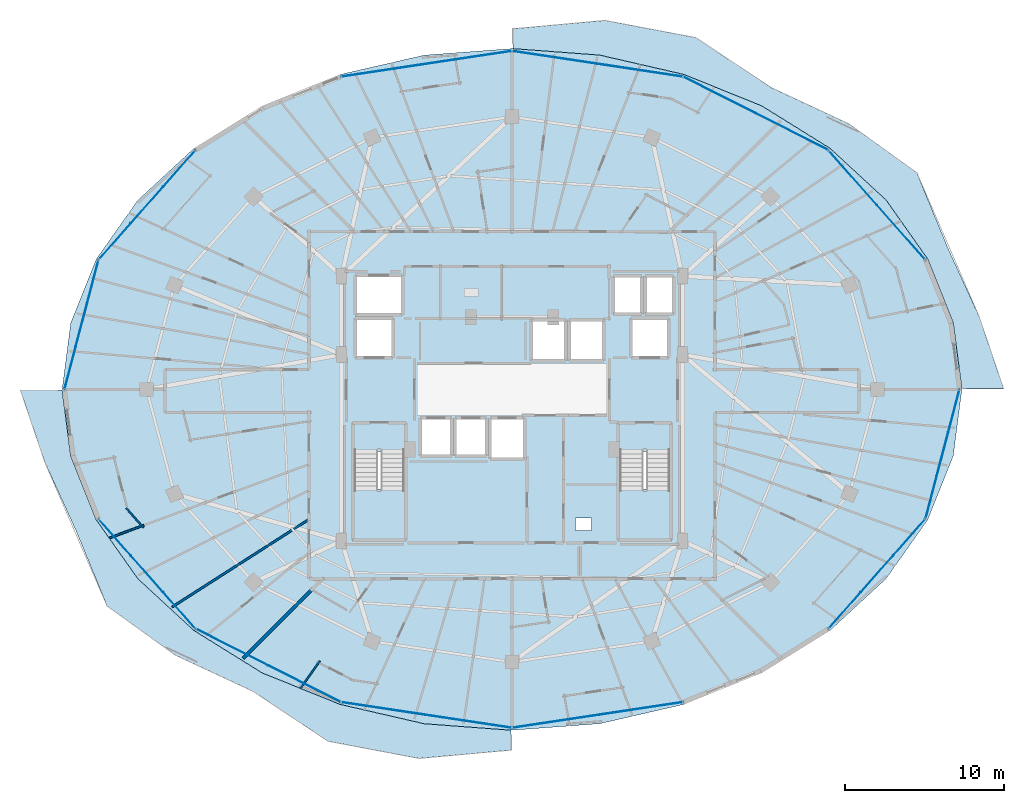
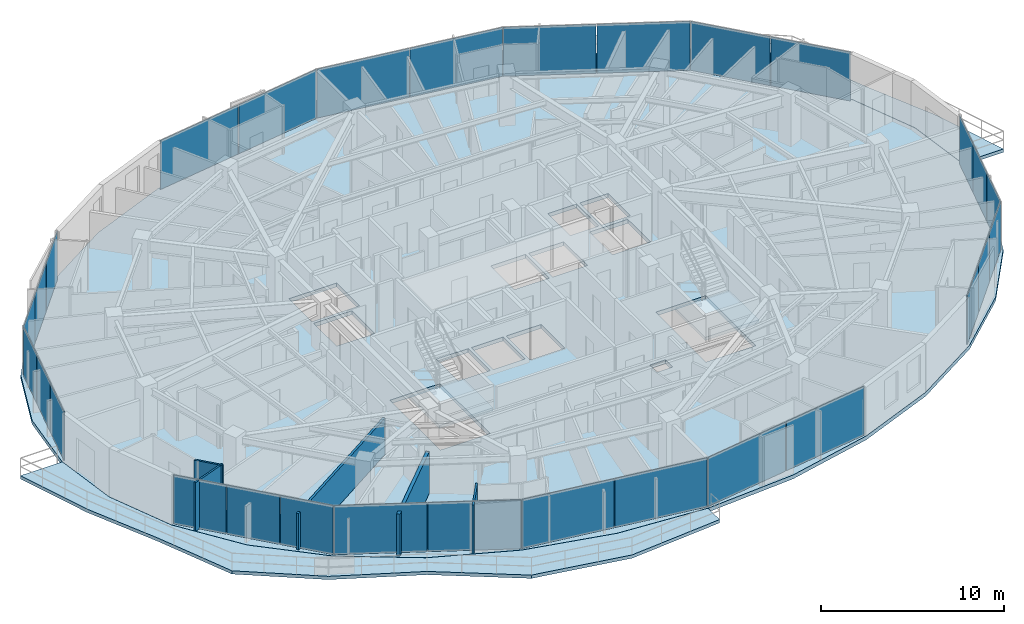
# One storey, part 22 of 33: 29 plates, 5 slabs, 5 walls, 6 elements without a shape of their own.
"""IFC4 building model written with IfcOpenShell, lengths in metres."""

from ifc_helpers import new_model, si_unit, direction, frame, frame_2d, origin, origin_2d, place, context, subcontext, project, spatial, polyline, rectangle, outline, extrude, material, layer, layer_set, type_object, element, aggregate, save


model = new_model("IFC4")

# Units and contexts
model_context = context("Model", 3, precision=1e-05, world=origin(), true_north=direction((0.0, 1.0)))
body_context = subcontext(model_context, "Body", "Model", "MODEL_VIEW")
ifc_project = project(units=[si_unit("LENGTHUNIT", "METRE"), si_unit("AREAUNIT", "SQUARE_METRE"), si_unit("VOLUMEUNIT", "CUBIC_METRE"), si_unit("PLANEANGLEUNIT", "RADIAN"), si_unit("MASSUNIT", "GRAM", prefix="KILO")], contexts=[model_context])

# Site, building, storey
site_placement = place(None, origin())
site = spatial("IfcSite", under=ifc_project, at=site_placement, CompositionType="ELEMENT")
building_placement = place(site_placement, origin())
building = spatial("IfcBuilding", under=site, at=building_placement, Name="Vorneva Point Tower", CompositionType="ELEMENT")
storey_placement = place(building_placement, frame((0.0, 0.0, 179.10009765625)))
storey = spatial("IfcBuildingStorey", under=building, at=storey_placement, Name="L48", CompositionType="ELEMENT", Elevation=179.10009765625)

# Curtain wall, plates
ifc_material_1 = material(Name="Pale anodised aluminium", Category="aluminium")
curtain_wall_type = type_object("IfcCurtainWallType", Name="CW-RES-SYS", PredefinedType="NOTDEFINED", material=ifc_material_1)
curtain_wall_1_placement = place(storey_placement, origin())
curtain_wall_1 = element("IfcCurtainWall", 1, at=curtain_wall_1_placement, inside=storey, type_object=curtain_wall_type, Name="L48 Unitised Curtain Wall CW-L48-R01", PredefinedType="NOTDEFINED")
ifc_material_2 = material(Name="Double low-e laminated glass IGU", Category="glass")
ifc_layer_1 = layer(ifc_material_2, 0.035888671875)
ifc_layer_set_1 = layer_set([ifc_layer_1], Name="Double low-e laminated glass IGU")
plate_type = type_object("IfcPlateType", Name="CW-PNL-VIS", PredefinedType="CURTAIN_PANEL", material=ifc_layer_set_1)
plate_1_placement = place(storey_placement, frame((62.55126953125, 35.90185546875, -0.02001953125), z_axis=(0.0, 0.0, 1.0), x_axis=(-0.662110096764, 0.74940657841, 0.0)))
plate_1 = element("IfcPlate", 2, at=plate_1_placement, type_object=plate_type, Name="CW-L48-R01 Glazed Panel 01A", PredefinedType="CURTAIN_PANEL", context=body_context, shape_type="SweptSolid", body=[
    extrude(rectangle(XDim=4.5712890625, YDim=0.035888671875, at=origin_2d()), origin(), (0.0, 0.0, 1.0), 3.280029296875),
])
plate_2_placement = place(storey_placement, frame((59.491455078125, 39.364990234375, -0.02001953125), z_axis=(0.0, 0.0, 1.0), x_axis=(-0.662110096764, 0.74940657841, 0.0)))
plate_2 = element("IfcPlate", 3, at=plate_2_placement, type_object=plate_type, Name="CW-L48-R01 Glazed Panel 01B", PredefinedType="CURTAIN_PANEL", context=body_context, shape_type="SweptSolid", body=[
    extrude(rectangle(XDim=4.5712890625, YDim=0.035888671875, at=origin_2d()), origin(), (0.0, 0.0, 1.0), 3.280029296875),
])
plate_3_placement = place(storey_placement, frame((55.672119140625, 42.253662109375, -0.02001953125), z_axis=(0.0, 0.0, 1.0), x_axis=(-0.892514983762, 0.451017742179, 0.0)))
plate_3 = element("IfcPlate", 4, at=plate_3_placement, type_object=plate_type, Name="CW-L48-R01 Glazed Panel 02A", PredefinedType="CURTAIN_PANEL", context=body_context, shape_type="SweptSolid", body=[
    extrude(rectangle(XDim=5.080810546875, YDim=0.035888671875, at=origin_2d()), origin(), (0.0, 0.0, 1.0), 3.280029296875),
])
plate_4_placement = place(storey_placement, frame((51.0927734375, 44.56787109375, -0.02001953125), z_axis=(0.0, 0.0, 1.0), x_axis=(-0.892514983762, 0.451017742179, 0.0)))
plate_4 = element("IfcPlate", 5, at=plate_4_placement, type_object=plate_type, Name="CW-L48-R01 Glazed Panel 02B", PredefinedType="CURTAIN_PANEL", context=body_context, shape_type="SweptSolid", body=[
    extrude(rectangle(XDim=5.080810546875, YDim=0.035888671875, at=origin_2d()), origin(), (0.0, 0.0, 1.0), 3.280029296875),
])
plate_5_placement = place(storey_placement, frame((46.102294921875, 46.131103515625, -0.02001953125), z_axis=(0.0, 0.0, 1.0), x_axis=(-0.988873520862, 0.148758729957, 0.0)))
plate_5 = element("IfcPlate", 6, at=plate_5_placement, type_object=plate_type, Name="CW-L48-R01 Glazed Panel 03A", PredefinedType="CURTAIN_PANEL", context=body_context, shape_type="SweptSolid", body=[
    extrude(rectangle(XDim=5.412353515625, YDim=0.035888671875, at=origin_2d()), origin(), (0.0, 0.0, 1.0), 3.280029296875),
])
plate_6_placement = place(storey_placement, frame((40.70068359375, 46.943603515625, -0.02001953125), z_axis=(0.0, 0.0, 1.0), x_axis=(-0.988873520862, 0.148758729957, 0.0)))
plate_6 = element("IfcPlate", 7, at=plate_6_placement, type_object=plate_type, Name="CW-L48-R01 Glazed Panel 03B", PredefinedType="CURTAIN_PANEL", context=body_context, shape_type="SweptSolid", body=[
    extrude(rectangle(XDim=5.412353515625, YDim=0.035888671875, at=origin_2d()), origin(), (0.0, 0.0, 1.0), 3.280029296875),
])
plate_7_placement = place(storey_placement, frame((35.29931640625, 46.943603515625, -0.02001953125), z_axis=(0.0, 0.0, 1.0), x_axis=(-0.988873520862, -0.148758729957, 0.0)))
plate_7 = element("IfcPlate", 8, at=plate_7_placement, type_object=plate_type, Name="CW-L48-R01 Glazed Panel 04A", PredefinedType="CURTAIN_PANEL", context=body_context, shape_type="SweptSolid", body=[
    extrude(rectangle(XDim=5.412353515625, YDim=0.035888671875, at=origin_2d()), origin(), (0.0, 0.0, 1.0), 3.280029296875),
])
plate_8_placement = place(storey_placement, frame((29.897705078125, 46.131103515625, -0.02001953125), z_axis=(0.0, 0.0, 1.0), x_axis=(-0.988873520862, -0.148758729957, 0.0)))
plate_8 = element("IfcPlate", 9, at=plate_8_placement, type_object=plate_type, Name="CW-L48-R01 Glazed Panel 04B", PredefinedType="CURTAIN_PANEL", context=body_context, shape_type="SweptSolid", body=[
    extrude(rectangle(XDim=5.412353515625, YDim=0.035888671875, at=origin_2d()), origin(), (0.0, 0.0, 1.0), 3.280029296875),
])
aggregate(curtain_wall_1, [plate_1, plate_2, plate_3, plate_4, plate_5, plate_6, plate_7, plate_8])

curtain_wall_2_placement = place(storey_placement, origin())
curtain_wall_2 = element("IfcCurtainWall", 10, at=curtain_wall_2_placement, inside=storey, type_object=curtain_wall_type, Name="L48 Unitised Curtain Wall CW-L48-R02", PredefinedType="NOTDEFINED")
plate_9_placement = place(storey_placement, frame((17.0185546875, 39.9423828125, -0.02001953125), z_axis=(0.0, 0.0, 1.0), x_axis=(-0.662110096764, -0.74940657841, 0.0)))
plate_9 = element("IfcPlate", 11, at=plate_9_placement, type_object=plate_type, Name="CW-L48-R02 Glazed Panel 01A", PredefinedType="CURTAIN_PANEL", context=body_context, shape_type="SweptSolid", body=[
    extrude(rectangle(XDim=3.03076171875, YDim=0.035888671875, at=origin_2d()), origin(), (0.0, 0.0, 1.0), 3.280029296875),
])
plate_10_placement = place(storey_placement, frame((14.978759765625, 37.633544921875, -0.02001953125), z_axis=(0.0, 0.0, 1.0), x_axis=(-0.662110096764, -0.74940657841, 0.0)))
plate_10 = element("IfcPlate", 12, at=plate_10_placement, type_object=plate_type, Name="CW-L48-R02 Glazed Panel 01B", PredefinedType="CURTAIN_PANEL", context=body_context, shape_type="SweptSolid", body=[
    extrude(rectangle(XDim=3.03076171875, YDim=0.035888671875, at=origin_2d()), origin(), (0.0, 0.0, 1.0), 3.280029296875),
])
plate_11_placement = place(storey_placement, frame((12.938720703125, 35.32470703125, -0.02001953125), z_axis=(0.0, 0.0, 1.0), x_axis=(-0.662110096764, -0.74940657841, 0.0)))
plate_11 = element("IfcPlate", 13, at=plate_11_placement, type_object=plate_type, Name="CW-L48-R02 Glazed Panel 01C", PredefinedType="CURTAIN_PANEL", context=body_context, shape_type="SweptSolid", body=[
    extrude(rectangle(XDim=3.03076171875, YDim=0.035888671875, at=origin_2d()), origin(), (0.0, 0.0, 1.0), 3.280029296875),
])
plate_12_placement = place(storey_placement, frame((11.560791015625, 32.80859375, -0.02001953125), z_axis=(0.0, 0.0, 1.0), x_axis=(-0.254365646708, -0.967108121036, 0.0)))
plate_12 = element("IfcPlate", 14, at=plate_12_placement, type_object=plate_type, Name="CW-L48-R02 Glazed Panel 02A", PredefinedType="CURTAIN_PANEL", context=body_context, shape_type="SweptSolid", body=[
    extrude(rectangle(XDim=2.76611328125, YDim=0.035888671875, at=origin_2d()), origin(), (0.0, 0.0, 1.0), 3.280029296875),
])
plate_13_placement = place(storey_placement, frame((10.844482421875, 30.085205078125, -0.02001953125), z_axis=(0.0, 0.0, 1.0), x_axis=(-0.254365646708, -0.967108121036, 0.0)))
plate_13 = element("IfcPlate", 15, at=plate_13_placement, type_object=plate_type, Name="CW-L48-R02 Glazed Panel 02B", PredefinedType="CURTAIN_PANEL", context=body_context, shape_type="SweptSolid", body=[
    extrude(rectangle(XDim=2.76611328125, YDim=0.035888671875, at=origin_2d()), origin(), (0.0, 0.0, 1.0), 3.280029296875),
])
plate_14_placement = place(storey_placement, frame((10.128173828125, 27.36181640625, -0.02001953125), z_axis=(0.0, 0.0, 1.0), x_axis=(-0.254365646708, -0.967108121036, 0.0)))
plate_14 = element("IfcPlate", 16, at=plate_14_placement, type_object=plate_type, Name="CW-L48-R02 Glazed Panel 02C", PredefinedType="CURTAIN_PANEL", context=body_context, shape_type="SweptSolid", body=[
    extrude(rectangle(XDim=2.76611328125, YDim=0.035888671875, at=origin_2d()), origin(), (0.0, 0.0, 1.0), 3.280029296875),
])
aggregate(curtain_wall_2, [plate_9, plate_10, plate_11, plate_12, plate_13, plate_14])

curtain_wall_3_placement = place(storey_placement, origin())
curtain_wall_3 = element("IfcCurtainWall", 17, at=curtain_wall_3_placement, inside=storey, type_object=curtain_wall_type, Name="L48 Unitised Curtain Wall CW-L48-R03", PredefinedType="NOTDEFINED")
plate_15_placement = place(storey_placement, frame((12.938720703125, 16.67529296875, -0.02001953125), z_axis=(0.0, 0.0, 1.0), x_axis=(0.662110096764, -0.74940657841, 0.0)))
plate_15 = element("IfcPlate", 18, at=plate_15_placement, type_object=plate_type, Name="CW-L48-R03 Glazed Panel 01A", PredefinedType="CURTAIN_PANEL", context=body_context, shape_type="SweptSolid", body=[
    extrude(rectangle(XDim=3.03076171875, YDim=0.035888671875, at=origin_2d()), origin(), (0.0, 0.0, 1.0), 3.280029296875),
])
plate_16_placement = place(storey_placement, frame((14.978759765625, 14.366455078125, -0.02001953125), z_axis=(0.0, 0.0, 1.0), x_axis=(0.662110096764, -0.74940657841, 0.0)))
plate_16 = element("IfcPlate", 19, at=plate_16_placement, type_object=plate_type, Name="CW-L48-R03 Glazed Panel 01B", PredefinedType="CURTAIN_PANEL", context=body_context, shape_type="SweptSolid", body=[
    extrude(rectangle(XDim=3.03076171875, YDim=0.035888671875, at=origin_2d()), origin(), (0.0, 0.0, 1.0), 3.280029296875),
])
plate_17_placement = place(storey_placement, frame((17.0185546875, 12.0576171875, -0.02001953125), z_axis=(0.0, 0.0, 1.0), x_axis=(0.662110096764, -0.74940657841, 0.0)))
plate_17 = element("IfcPlate", 20, at=plate_17_placement, type_object=plate_type, Name="CW-L48-R03 Glazed Panel 01C", PredefinedType="CURTAIN_PANEL", context=body_context, shape_type="SweptSolid", body=[
    extrude(rectangle(XDim=3.03076171875, YDim=0.035888671875, at=origin_2d()), origin(), (0.0, 0.0, 1.0), 3.280029296875),
])
plate_18_placement = place(storey_placement, frame((20.327880859375, 9.746337890625, -0.02001953125), z_axis=(0.0, 0.0, 1.0), x_axis=(0.892514983762, -0.451017742179, 0.0)))
plate_18 = element("IfcPlate", 21, at=plate_18_placement, type_object=plate_type, Name="CW-L48-R03 Glazed Panel 02A", PredefinedType="CURTAIN_PANEL", context=body_context, shape_type="SweptSolid", body=[
    extrude(rectangle(XDim=5.080810546875, YDim=0.035888671875, at=origin_2d()), origin(), (0.0, 0.0, 1.0), 3.280029296875),
])
plate_19_placement = place(storey_placement, frame((24.9072265625, 7.43212890625, -0.02001953125), z_axis=(0.0, 0.0, 1.0), x_axis=(0.892514983762, -0.451017742179, 0.0)))
plate_19 = element("IfcPlate", 22, at=plate_19_placement, type_object=plate_type, Name="CW-L48-R03 Glazed Panel 02B", PredefinedType="CURTAIN_PANEL", context=body_context, shape_type="SweptSolid", body=[
    extrude(rectangle(XDim=5.080810546875, YDim=0.035888671875, at=origin_2d()), origin(), (0.0, 0.0, 1.0), 3.280029296875),
])
plate_20_placement = place(storey_placement, frame((29.897705078125, 5.868896484375, -0.02001953125), z_axis=(0.0, 0.0, 1.0), x_axis=(0.988873520862, -0.148758729957, 0.0)))
plate_20 = element("IfcPlate", 23, at=plate_20_placement, type_object=plate_type, Name="CW-L48-R03 Glazed Panel 03A", PredefinedType="CURTAIN_PANEL", context=body_context, shape_type="SweptSolid", body=[
    extrude(rectangle(XDim=5.412353515625, YDim=0.035888671875, at=origin_2d()), origin(), (0.0, 0.0, 1.0), 3.280029296875),
])
plate_21_placement = place(storey_placement, frame((35.29931640625, 5.056396484375, -0.02001953125), z_axis=(0.0, 0.0, 1.0), x_axis=(0.988873520862, -0.148758729957, 0.0)))
plate_21 = element("IfcPlate", 24, at=plate_21_placement, type_object=plate_type, Name="CW-L48-R03 Glazed Panel 03B", PredefinedType="CURTAIN_PANEL", context=body_context, shape_type="SweptSolid", body=[
    extrude(rectangle(XDim=5.412353515625, YDim=0.035888671875, at=origin_2d()), origin(), (0.0, 0.0, 1.0), 3.280029296875),
])
plate_22_placement = place(storey_placement, frame((40.70068359375, 5.056396484375, -0.02001953125), z_axis=(0.0, 0.0, 1.0), x_axis=(0.988873520862, 0.148758729957, 0.0)))
plate_22 = element("IfcPlate", 25, at=plate_22_placement, type_object=plate_type, Name="CW-L48-R03 Glazed Panel 04A", PredefinedType="CURTAIN_PANEL", context=body_context, shape_type="SweptSolid", body=[
    extrude(rectangle(XDim=5.412353515625, YDim=0.035888671875, at=origin_2d()), origin(), (0.0, 0.0, 1.0), 3.280029296875),
])
plate_23_placement = place(storey_placement, frame((46.102294921875, 5.868896484375, -0.02001953125), z_axis=(0.0, 0.0, 1.0), x_axis=(0.988873520862, 0.148758729957, 0.0)))
plate_23 = element("IfcPlate", 26, at=plate_23_placement, type_object=plate_type, Name="CW-L48-R03 Glazed Panel 04B", PredefinedType="CURTAIN_PANEL", context=body_context, shape_type="SweptSolid", body=[
    extrude(rectangle(XDim=5.412353515625, YDim=0.035888671875, at=origin_2d()), origin(), (0.0, 0.0, 1.0), 3.280029296875),
])
aggregate(curtain_wall_3, [plate_15, plate_16, plate_17, plate_18, plate_19, plate_20, plate_21, plate_22, plate_23])

curtain_wall_4_placement = place(storey_placement, origin())
curtain_wall_4 = element("IfcCurtainWall", 27, at=curtain_wall_4_placement, inside=storey, type_object=curtain_wall_type, Name="L48 Unitised Curtain Wall CW-L48-R04", PredefinedType="NOTDEFINED")
plate_24_placement = place(storey_placement, frame((58.9814453125, 12.0576171875, -0.02001953125), z_axis=(0.0, 0.0, 1.0), x_axis=(0.662110096764, 0.74940657841, 0.0)))
plate_24 = element("IfcPlate", 28, at=plate_24_placement, type_object=plate_type, Name="CW-L48-R04 Glazed Panel 01A", PredefinedType="CURTAIN_PANEL", context=body_context, shape_type="SweptSolid", body=[
    extrude(rectangle(XDim=3.03076171875, YDim=0.035888671875, at=origin_2d()), origin(), (0.0, 0.0, 1.0), 3.280029296875),
])
plate_25_placement = place(storey_placement, frame((61.021240234375, 14.366455078125, -0.02001953125), z_axis=(0.0, 0.0, 1.0), x_axis=(0.662110096764, 0.74940657841, 0.0)))
plate_25 = element("IfcPlate", 29, at=plate_25_placement, type_object=plate_type, Name="CW-L48-R04 Glazed Panel 01B", PredefinedType="CURTAIN_PANEL", context=body_context, shape_type="SweptSolid", body=[
    extrude(rectangle(XDim=3.03076171875, YDim=0.035888671875, at=origin_2d()), origin(), (0.0, 0.0, 1.0), 3.280029296875),
])
plate_26_placement = place(storey_placement, frame((63.061279296875, 16.67529296875, -0.02001953125), z_axis=(0.0, 0.0, 1.0), x_axis=(0.662110096764, 0.74940657841, 0.0)))
plate_26 = element("IfcPlate", 30, at=plate_26_placement, type_object=plate_type, Name="CW-L48-R04 Glazed Panel 01C", PredefinedType="CURTAIN_PANEL", context=body_context, shape_type="SweptSolid", body=[
    extrude(rectangle(XDim=3.03076171875, YDim=0.035888671875, at=origin_2d()), origin(), (0.0, 0.0, 1.0), 3.280029296875),
])
plate_27_placement = place(storey_placement, frame((64.439208984375, 19.19140625, -0.02001953125), z_axis=(0.0, 0.0, 1.0), x_axis=(0.254365646708, 0.967108121036, 0.0)))
plate_27 = element("IfcPlate", 31, at=plate_27_placement, type_object=plate_type, Name="CW-L48-R04 Glazed Panel 02A", PredefinedType="CURTAIN_PANEL", context=body_context, shape_type="SweptSolid", body=[
    extrude(rectangle(XDim=2.76611328125, YDim=0.035888671875, at=origin_2d()), origin(), (0.0, 0.0, 1.0), 3.280029296875),
])
plate_28_placement = place(storey_placement, frame((65.155517578125, 21.914794921875, -0.02001953125), z_axis=(0.0, 0.0, 1.0), x_axis=(0.254365646708, 0.967108121036, 0.0)))
plate_28 = element("IfcPlate", 32, at=plate_28_placement, type_object=plate_type, Name="CW-L48-R04 Glazed Panel 02B", PredefinedType="CURTAIN_PANEL", context=body_context, shape_type="SweptSolid", body=[
    extrude(rectangle(XDim=2.76611328125, YDim=0.035888671875, at=origin_2d()), origin(), (0.0, 0.0, 1.0), 3.280029296875),
])
plate_29_placement = place(storey_placement, frame((65.871826171875, 24.63818359375, -0.02001953125), z_axis=(0.0, 0.0, 1.0), x_axis=(0.254365646708, 0.967108121036, 0.0)))
plate_29 = element("IfcPlate", 33, at=plate_29_placement, type_object=plate_type, Name="CW-L48-R04 Glazed Panel 02C", PredefinedType="CURTAIN_PANEL", context=body_context, shape_type="SweptSolid", body=[
    extrude(rectangle(XDim=2.76611328125, YDim=0.035888671875, at=origin_2d()), origin(), (0.0, 0.0, 1.0), 3.280029296875),
])
aggregate(curtain_wall_4, [plate_24, plate_25, plate_26, plate_27, plate_28, plate_29])

# Slabs
ifc_material_3 = material(Name="Concrete B50 (C40/50)", Category="concrete")
ifc_layer_2 = layer(ifc_material_3, 0.219970703125)
ifc_layer_set_2 = layer_set([ifc_layer_2], Name="Concrete B50 (C40/50)")
slab_type_1 = type_object("IfcSlabType", Name="SLB-BAL-220", PredefinedType="FLOOR", material=ifc_layer_set_2)
slab_1_placement = place(storey_placement, frame((0.0, 0.0, -0.22021484375)))
element("IfcSlab", 34, at=slab_1_placement, inside=storey, type_object=slab_type_1, Name="L48 Cantilevered Wave Balcony NE", PredefinedType="FLOOR", context=body_context, shape_type="SweptSolid", body=[
    extrude(outline(polyline([(38.050048828125, 48.75439453125), (38.050048828125, 47.500244140625), (43.537109375, 47.0908203125), (43.537353515625, 47.0908203125), (43.53759765625, 47.0908203125), (48.861572265625, 45.8671875), (48.86181640625, 45.8671875), (48.862060546875, 45.8671875), (53.7685546875, 43.88037109375), (53.768798828125, 43.880126953125), (53.769287109375, 43.8798828125), (58.06982421875, 41.206298828125), (58.070068359375, 41.2060546875), (58.0703125, 41.205810546875), (61.599853515625, 37.94775390625), (61.60009765625, 37.947509765625), (61.600341796875, 37.947021484375), (64.222900390625, 34.22998046875), (64.22314453125, 34.2294921875), (64.223388671875, 34.229248046875), (65.83837890625, 30.19580078125), (65.83837890625, 30.195556640625), (65.838623046875, 30.1953125), (65.838623046875, 30.19482421875), (66.37744140625, 26.050048828125), (69.012939453125, 26.050048828125), (67.461669921875, 30.62158203125), (65.496337890625, 34.92578125), (63.544677734375, 39.662353515625), (59.2451171875, 42.757080078125), (54.355712890625, 45.039306640625), (49.592529296875, 48.1962890625), (43.8671875, 49.280029296875), (38.050048828125, 48.75439453125)])), origin(), (0.0, 0.0, 1.0), 0.22021484375),
])
slab_2_placement = place(storey_placement, frame((0.0, 0.0, -0.22021484375)))
element("IfcSlab", 35, at=slab_2_placement, inside=storey, type_object=slab_type_1, Name="L48 Cantilevered Wave Balcony SW", PredefinedType="FLOOR", context=body_context, shape_type="SweptSolid", body=[
    extrude(outline(polyline([(37.949951171875, 3.24560546875), (37.949951171875, 4.499755859375), (32.462890625, 4.9091796875), (32.462646484375, 4.9091796875), (32.46240234375, 4.9091796875), (27.138427734375, 6.1328125), (27.13818359375, 6.1328125), (27.137939453125, 6.1328125), (22.2314453125, 8.11962890625), (22.231201171875, 8.119873046875), (22.230712890625, 8.1201171875), (17.93017578125, 10.793701171875), (17.929931640625, 10.7939453125), (17.9296875, 10.794189453125), (14.400146484375, 14.05224609375), (14.39990234375, 14.052490234375), (14.399658203125, 14.052978515625), (11.777099609375, 17.77001953125), (11.77685546875, 17.7705078125), (11.776611328125, 17.770751953125), (10.16162109375, 21.80419921875), (10.16162109375, 21.804443359375), (10.161376953125, 21.8046875), (10.161376953125, 21.80517578125), (9.62255859375, 25.949951171875), (6.987060546875, 25.949951171875), (8.538330078125, 21.37841796875), (10.503662109375, 17.07421875), (12.455322265625, 12.337646484375), (16.7548828125, 9.242919921875), (21.644287109375, 6.960693359375), (26.407470703125, 3.8037109375), (32.1328125, 2.719970703125), (37.949951171875, 3.24560546875)])), origin(), (0.0, 0.0, 1.0), 0.22021484375),
])

# Stair, slab
stair_type = type_object("IfcStairType", Name="ST-DOG-1500", PredefinedType="HALF_TURN_STAIR", material=ifc_material_3)
stair_1_placement = place(storey_placement, origin())
stair_1 = element("IfcStair", 36, at=stair_1_placement, inside=storey, type_object=stair_type, Name="L48 ST1", PredefinedType="HALF_TURN_STAIR")
ifc_layer_3 = layer(ifc_material_3, 0.199951171875)
ifc_layer_set_3 = layer_set([ifc_layer_3], Name="Concrete B50 (C40/50)")
slab_type_2 = type_object("IfcSlabType", Name="SLB-LND-200", PredefinedType="LANDING", material=ifc_layer_set_3)
slab_3_placement = place(storey_placement, frame((0.0, 0.0, 1.5498046875)))
slab_3 = element("IfcSlab", 37, at=slab_3_placement, type_object=slab_type_2, Name="ST1 landing 1", PredefinedType="LANDING", context=body_context, shape_type="SweptSolid", body=[
    extrude(outline(polyline([(27.929931640625, 16.47998046875), (31.320068359375, 16.47998046875), (31.320068359375, 19.72998046875), (27.929931640625, 19.72998046875), (27.929931640625, 16.47998046875)])), origin(), (0.0, 0.0, 1.0), 0.2001953125),
])
aggregate(stair_1, [slab_3])

stair_2_placement = place(storey_placement, origin())
stair_2 = element("IfcStair", 38, at=stair_2_placement, inside=storey, type_object=stair_type, Name="L48 ST2", PredefinedType="HALF_TURN_STAIR")
slab_4_placement = place(storey_placement, frame((0.0, 0.0, 1.5498046875)))
slab_4 = element("IfcSlab", 39, at=slab_4_placement, type_object=slab_type_2, Name="ST2 landing 1", PredefinedType="LANDING", context=body_context, shape_type="SweptSolid", body=[
    extrude(outline(polyline([(44.679931640625, 16.47998046875), (48.070068359375, 16.47998046875), (48.070068359375, 19.72998046875), (44.679931640625, 19.72998046875), (44.679931640625, 16.47998046875)])), origin(), (0.0, 0.0, 1.0), 0.2001953125),
])
aggregate(stair_2, [slab_4])

# Slab
ifc_layer_4 = layer(ifc_material_3, 0.260009765625)
ifc_layer_set_4 = layer_set([ifc_layer_4], Name="Concrete B50 (C40/50)")
slab_type_3 = type_object("IfcSlabType", Name="SLB-TYP-260", PredefinedType="FLOOR", material=ifc_layer_set_4)
slab_5_placement = place(storey_placement, frame((0.0, 0.0, -0.260009765625)))
element("IfcSlab", 40, at=slab_5_placement, inside=storey, type_object=slab_type_3, Name="L48 Structural Floor Plate", PredefinedType="FLOOR", context=body_context, shape_type="SweptSolid", body=[
    extrude(outline(polyline([(66.3798828125, 26.0), (65.834716796875, 30.1943359375), (64.2197265625, 34.227783203125), (61.59716796875, 37.94482421875), (58.067626953125, 41.202880859375), (53.76708984375, 43.876708984375), (48.860595703125, 45.86328125), (43.53662109375, 47.0869140625), (38.0, 47.5), (32.46337890625, 47.0869140625), (27.139404296875, 45.86328125), (22.23291015625, 43.876708984375), (17.932373046875, 41.202880859375), (14.40283203125, 37.94482421875), (11.7802734375, 34.227783203125), (10.165283203125, 30.1943359375), (9.6201171875, 26.0), (10.165283203125, 21.8056640625), (11.7802734375, 17.772216796875), (14.40283203125, 14.05517578125), (17.932373046875, 10.797119140625), (22.23291015625, 8.123291015625), (27.139404296875, 6.13671875), (32.46337890625, 4.9130859375), (38.0, 4.5), (43.53662109375, 4.9130859375), (48.860595703125, 6.13671875), (53.76708984375, 8.123291015625), (58.067626953125, 10.797119140625), (61.59716796875, 14.05517578125), (64.2197265625, 17.772216796875), (65.834716796875, 21.8056640625), (66.3798828125, 26.0)]), holes=[polyline([(32.199951171875, 21.800048828125), (34.199951171875, 21.800048828125), (34.199951171875, 24.199951171875), (32.199951171875, 24.199951171875), (32.199951171875, 21.800048828125)]), polyline([(34.39990234375, 21.800048828125), (36.39990234375, 21.800048828125), (36.39990234375, 24.199951171875), (34.39990234375, 24.199951171875), (34.39990234375, 21.800048828125)]), polyline([(36.60009765625, 21.60009765625), (38.800048828125, 21.60009765625), (38.800048828125, 24.199951171875), (36.60009765625, 24.199951171875), (36.60009765625, 21.60009765625)]), polyline([(39.199951171875, 27.800048828125), (41.39990234375, 27.800048828125), (41.39990234375, 30.39990234375), (39.199951171875, 30.39990234375), (39.199951171875, 27.800048828125)]), polyline([(41.60009765625, 27.800048828125), (43.800048828125, 27.800048828125), (43.800048828125, 30.39990234375), (41.60009765625, 30.39990234375), (41.60009765625, 27.800048828125)]), polyline([(44.39990234375, 30.739990234375), (46.199951171875, 30.739990234375), (46.199951171875, 33.159912109375), (44.39990234375, 33.159912109375), (44.39990234375, 30.739990234375)]), polyline([(46.39990234375, 30.739990234375), (48.199951171875, 30.739990234375), (48.199951171875, 33.159912109375), (46.39990234375, 33.159912109375), (46.39990234375, 30.739990234375)]), polyline([(28.10009765625, 28.0), (30.5, 28.0), (30.5, 30.5), (28.10009765625, 30.5), (28.10009765625, 28.0)]), polyline([(45.5, 28.0), (47.89990234375, 28.0), (47.89990234375, 30.5), (45.5, 30.5), (45.5, 28.0)]), polyline([(28.10009765625, 30.699951171875), (31.10009765625, 30.699951171875), (31.10009765625, 33.199951171875), (28.10009765625, 33.199951171875), (28.10009765625, 30.699951171875)]), polyline([(28.050048828125, 16.60009765625), (31.199951171875, 16.60009765625), (31.199951171875, 22.080078125), (28.050048828125, 22.080078125), (28.050048828125, 16.60009765625)]), polyline([(44.800048828125, 16.60009765625), (47.949951171875, 16.60009765625), (47.949951171875, 22.080078125), (44.800048828125, 22.080078125), (44.800048828125, 16.60009765625)]), polyline([(42.0, 17.10009765625), (43.0, 17.10009765625), (43.0, 17.89990234375), (42.0, 17.89990234375), (42.0, 17.10009765625)])]), origin(), (0.0, 0.0, 1.0), 0.260009765625),
])

# Walls
ifc_material_4 = material(Name="Fire-rated acoustic gypsum stud partition", Category="gypsum")
ifc_layer_5 = layer(ifc_material_4, 0.110107421875)
ifc_layer_set_5 = layer_set([ifc_layer_5], Name="Fire-rated acoustic gypsum stud partition")
wall_type_1 = type_object("IfcWallType", Name="WL-PART-110", PredefinedType="PARTITIONING", material=ifc_layer_set_5)
wall_1_placement = place(storey_placement, frame((13.664306640625, 18.510986328125, 0.0), z_axis=(0.0, 0.0, 1.0), x_axis=(0.662345628205, -0.749198417509, 0.0)))
element("IfcWall", 41, at=wall_1_placement, inside=storey, type_object=wall_type_1, Name="L48 Interior Partition 147", PredefinedType="PARTITIONING", context=body_context, shape_type="SweptSolid", body=[
    extrude(rectangle(XDim=1.638916015625, YDim=0.110107421875, at=frame_2d((0.8193359375, 0.0))), origin(), (0.0, 0.0, 1.0), 3.239990234375),
])
wall_2_placement = place(storey_placement, frame((12.603759765625, 16.630615234375, 0.0), z_axis=(0.0, 0.0, 1.0), x_axis=(0.938194450562, 0.346108614361, 0.0)))
element("IfcWall", 42, at=wall_2_placement, inside=storey, type_object=wall_type_1, Name="L48 Interior Partition 149", PredefinedType="PARTITIONING", context=body_context, shape_type="SweptSolid", body=[
    extrude(rectangle(XDim=2.328369140625, YDim=0.110107421875, at=frame_2d((1.1640625, 0.0))), origin(), (0.0, 0.0, 1.0), 3.239990234375),
])
wall_3_placement = place(storey_placement, frame((24.666259765625, 7.15380859375, 0.0), z_axis=(0.0, 0.0, 1.0), x_axis=(0.577389248155, 0.816469017241, 0.0)))
element("IfcWall", 43, at=wall_3_placement, inside=storey, type_object=wall_type_1, Name="L48 Interior Partition 157", PredefinedType="PARTITIONING", context=body_context, shape_type="SweptSolid", body=[
    extrude(rectangle(XDim=2.103515625, YDim=0.110107421875, at=frame_2d((1.0517578125, 0.0))), origin(), (0.0, 0.0, 1.0), 3.239990234375),
])
ifc_layer_6 = layer(ifc_material_4, 0.139892578125)
ifc_layer_set_6 = layer_set([ifc_layer_6], Name="Fire-rated acoustic gypsum stud partition")
wall_type_2 = type_object("IfcWallType", Name="WL-PART-140", PredefinedType="PARTITIONING", material=ifc_layer_set_6)
wall_4_placement = place(storey_placement, frame((16.554931640625, 12.27197265625, 0.0), z_axis=(0.0, 0.0, 1.0), x_axis=(0.842221721565, 0.539131312135, 0.0)))
element("IfcWall", 44, at=wall_4_placement, inside=storey, type_object=wall_type_2, Name="L48 Interior Partition 151", PredefinedType="PARTITIONING", context=body_context, shape_type="SweptSolid", body=[
    extrude(rectangle(XDim=10.2646484375, YDim=0.139892578125, at=frame_2d((5.13232421875, 0.0))), origin(), (0.0, 0.0, 1.0), 2.431884765625),
])
ifc_material_5 = material(Name="Autoclaved aerated concrete blockwork", Category="masonry")
ifc_layer_7 = layer(ifc_material_5, 0.199951171875)
ifc_layer_set_7 = layer_set([ifc_layer_7], Name="Autoclaved aerated concrete blockwork")
wall_type_3 = type_object("IfcWallType", Name="WL-PART-200", PredefinedType="PARTITIONING", material=ifc_layer_set_7)
wall_5_placement = place(storey_placement, frame((21.041015625, 9.041015625, 0.0), z_axis=(0.0, 0.0, 1.0), x_axis=(0.707106781187, 0.707106781187, 0.0)))
element("IfcWall", 45, at=wall_5_placement, inside=storey, type_object=wall_type_3, Name="L48 Interior Partition 153", PredefinedType="PARTITIONING", context=body_context, shape_type="SweptSolid", body=[
    extrude(rectangle(XDim=6.17578125, YDim=0.199951171875, at=frame_2d((3.087890625, 0.0))), origin(), (0.0, 0.0, 1.0), 2.77392578125),
])

save(model, "model.ifc")
